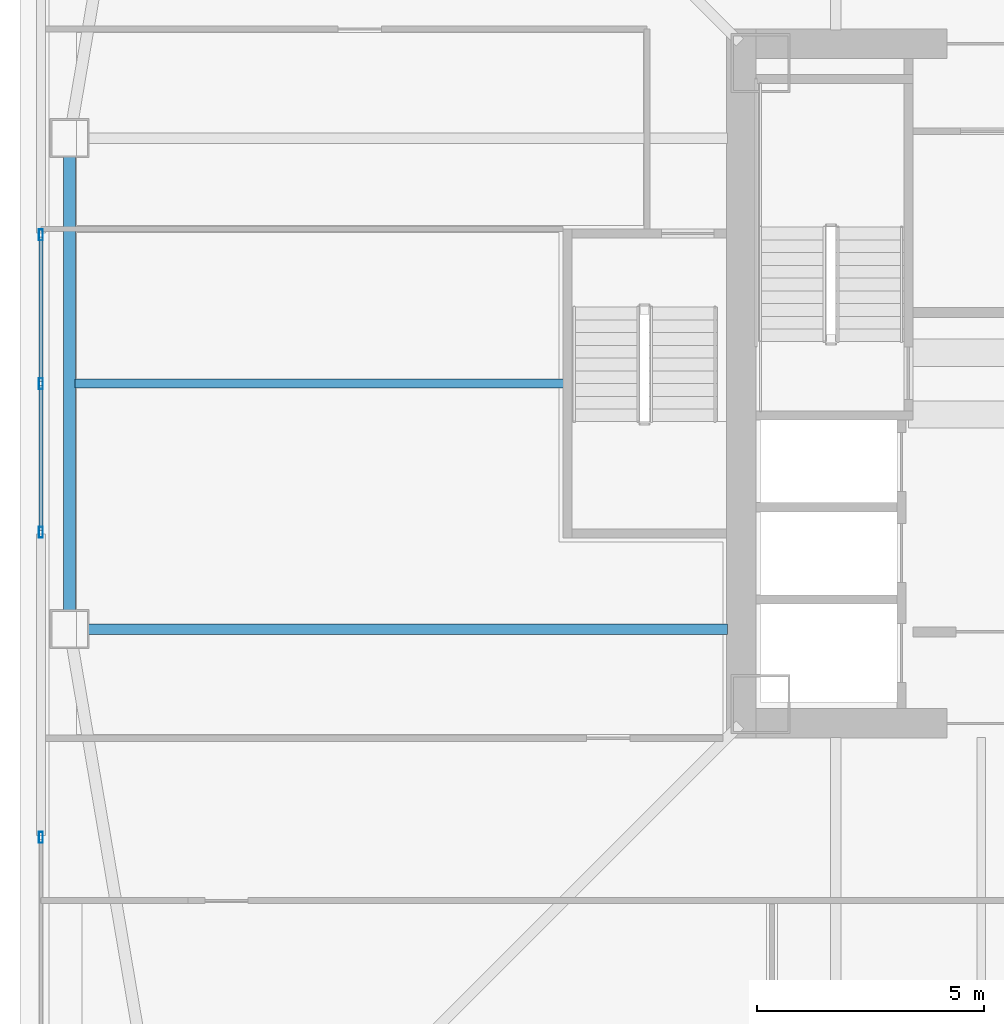
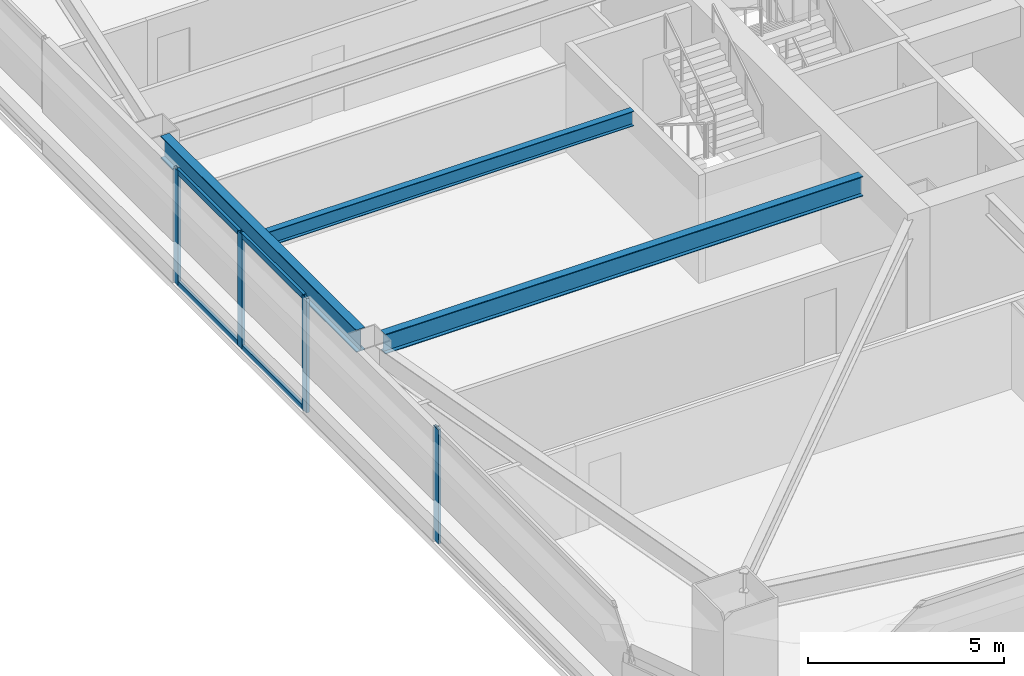
# One storey, part 5 of 45: 8 members, 3 beams, 2 elements without a shape of their own.
"""IFC4 building model written with IfcOpenShell, lengths in metres."""

from ifc_helpers import new_model, si_unit, direction, frame, origin, origin_2d, place, context, subcontext, project, spatial, hollow_rectangle, i_section, extrude, material, material_profile, profile_set, type_object, element, aggregate, save


model = new_model("IFC4")

# Units and contexts
model_context = context("Model", 3, precision=1e-05, world=origin(), true_north=direction((0.0, 1.0)))
body_context = subcontext(model_context, "Body", "Model", "MODEL_VIEW")
ifc_project = project(units=[si_unit("LENGTHUNIT", "METRE"), si_unit("AREAUNIT", "SQUARE_METRE"), si_unit("VOLUMEUNIT", "CUBIC_METRE"), si_unit("PLANEANGLEUNIT", "RADIAN"), si_unit("MASSUNIT", "GRAM", prefix="KILO")], contexts=[model_context])

# Site, building, storey
site_placement = place(None, origin())
site = spatial("IfcSite", under=ifc_project, at=site_placement, CompositionType="ELEMENT")
building_placement = place(site_placement, origin())
building = spatial("IfcBuilding", under=site, at=building_placement, Name="Tashvorn Skyway Center", CompositionType="ELEMENT")
storey_placement = place(building_placement, frame((0.0, 0.0, 35.25)))
storey = spatial("IfcBuildingStorey", under=building, at=storey_placement, Name="L08", CompositionType="ELEMENT", Elevation=35.25)

# Beams
ifc_material_1 = material(Name="Steel ASTM A992 Grade 50", Category="steel")
ifc_material_profile_1 = material_profile(ifc_material_1, i_section(OverallWidth=0.22998046875, OverallDepth=0.616943359375, WebThickness=0.01318359375, FlangeThickness=0.022216796875, at=origin_2d()), Name="W24X94")
ifc_profile_set_1 = profile_set([ifc_material_profile_1], Name="Steel ASTM A992 Grade 50")
beam_type_1 = type_object("IfcBeamType", Name="BM-BEAM-W24X94", PredefinedType="BEAM", material=ifc_profile_set_1)
beam_1_placement = place(storey_placement, frame((20.169921875, 26.60009765625, 3.04150390625), z_axis=(1.0, 0.0, 0.0), x_axis=(0.0, 1.0, 0.0)))
element("IfcBeam", 1, at=beam_1_placement, inside=storey, type_object=beam_type_1, Name="Tower 1 L08 Primary Floor Girder FC-W2", PredefinedType="BEAM", context=body_context, shape_type="SweptSolid", body=[
    extrude(i_section(OverallWidth=0.22998046875, OverallDepth=0.616943359375, WebThickness=0.01318359375, FlangeThickness=0.022216796875, at=origin_2d()), origin(), (0.0, 0.0, 1.0), 14.050048828125),
])
ifc_material_profile_2 = material_profile(ifc_material_1, i_section(OverallWidth=0.19091796875, OverallDepth=0.4599609375, WebThickness=0.010009765625, FlangeThickness=0.01611328125, at=origin_2d()), Name="W18X55")
ifc_profile_set_2 = profile_set([ifc_material_profile_2], Name="Steel ASTM A992 Grade 50")
beam_type_2 = type_object("IfcBeamType", Name="BM-JOIST-W18X55", PredefinedType="JOIST", material=ifc_profile_set_2)
beam_2_placement = place(storey_placement, frame((30.610107421875, 32.0, 3.1201171875), z_axis=(-1.0, 0.0, 0.0), x_axis=(0.0, -1.0, 0.0)))
element("IfcBeam", 2, at=beam_2_placement, inside=storey, type_object=beam_type_2, Name="Tower 1 L08 Secondary Composite Joist JW", PredefinedType="JOIST", context=body_context, shape_type="SweptSolid", body=[
    extrude(i_section(OverallWidth=0.19091796875, OverallDepth=0.4599609375, WebThickness=0.010009765625, FlangeThickness=0.01611328125, at=origin_2d()), origin(), (0.0, 0.0, 1.0), 10.739990234375),
])
ifc_material_profile_3 = material_profile(ifc_material_1, i_section(OverallWidth=0.256103515625, OverallDepth=0.693115234375, WebThickness=0.014404296875, FlangeThickness=0.023681640625, at=origin_2d()), Name="W27X114")
ifc_profile_set_3 = profile_set([ifc_material_profile_3], Name="Steel ASTM A992 Grade 50")
beam_type_3 = type_object("IfcBeamType", Name="BM-SPANDREL-W27X114", PredefinedType="SPANDREL", material=ifc_profile_set_3)
beam_3_placement = place(storey_placement, frame((19.75, 36.97998046875, 3.00341796875), z_axis=(0.0, -1.0, 0.0), x_axis=(1.0, 0.0, 0.0)))
element("IfcBeam", 3, at=beam_3_placement, inside=storey, type_object=beam_type_3, Name="Tower 1 L08 Spandrel Beam 11", PredefinedType="SPANDREL", context=body_context, shape_type="SweptSolid", body=[
    extrude(i_section(OverallWidth=0.256103515625, OverallDepth=0.693115234375, WebThickness=0.014404296875, FlangeThickness=0.023681640625, at=origin_2d()), origin(), (0.0, 0.0, 1.0), 9.9599609375),
])

# Curtain wall, member
ifc_material_2 = material(Name="Thermally broken bronze-anodized aluminium 6063-T6", Category="aluminium")
curtain_wall_type = type_object("IfcCurtainWallType", Name="CW-CW-Z1", PredefinedType="NOTDEFINED", material=ifc_material_2)
curtain_wall_1_placement = place(storey_placement, origin())
curtain_wall_1 = element("IfcCurtainWall", 4, at=curtain_wall_1_placement, inside=storey, type_object=curtain_wall_type, Name="Tower 1 L08 West Unitised Curtain Wall Glazing Group 1", PredefinedType="NOTDEFINED")
ifc_material_profile_4 = material_profile(ifc_material_2, hollow_rectangle(XDim=0.0849609375, YDim=0.239990234375, WallThickness=0.0048828125, at=origin_2d()), Name="ALU-MULL-85x240")
ifc_profile_set_4 = profile_set([ifc_material_profile_4], Name="Thermally broken bronze-anodized aluminium 6063-T6")
member_type_1 = type_object("IfcMemberType", Name="CWM-CW-Z1", PredefinedType="MULLION", material=ifc_profile_set_4)
member_1_placement = place(storey_placement, frame((19.1201171875, 22.017578125, 0.0), z_axis=(0.0, 0.0, 1.0), x_axis=(-1.0, 0.0, 0.0)))
member_1 = element("IfcMember", 5, at=member_1_placement, type_object=member_type_1, Name="CW-Z1 mullion 2", PredefinedType="MULLION", context=body_context, shape_type="SweptSolid", body=[
    extrude(hollow_rectangle(XDim=0.0849609375, YDim=0.239990234375, WallThickness=0.0048828125, at=origin_2d()), origin(), (0.0, 0.0, 1.0), 3.550048828125),
])
aggregate(curtain_wall_1, [member_1])

# Curtain wall, members
curtain_wall_2_placement = place(storey_placement, origin())
curtain_wall_2 = element("IfcCurtainWall", 6, at=curtain_wall_2_placement, inside=storey, type_object=curtain_wall_type, Name="Tower 1 L08 West Unitised Curtain Wall Glazing Group 2", PredefinedType="NOTDEFINED")
member_2_placement = place(storey_placement, frame((19.1201171875, 28.729248046875, 0.0), z_axis=(0.0, 0.0, 1.0), x_axis=(-1.0, 0.0, 0.0)))
member_2 = element("IfcMember", 7, at=member_2_placement, type_object=member_type_1, Name="CW-Z1 mullion 1", PredefinedType="MULLION", context=body_context, shape_type="SweptSolid", body=[
    extrude(hollow_rectangle(XDim=0.0849609375, YDim=0.239990234375, WallThickness=0.0048828125, at=origin_2d()), origin(), (0.0, 0.0, 1.0), 3.550048828125),
])
member_3_placement = place(storey_placement, frame((19.1201171875, 32.0, 0.0), z_axis=(0.0, 0.0, 1.0), x_axis=(-1.0, 0.0, 0.0)))
member_3 = element("IfcMember", 8, at=member_3_placement, type_object=member_type_1, Name="CW-Z1 mullion 2", PredefinedType="MULLION", context=body_context, shape_type="SweptSolid", body=[
    extrude(hollow_rectangle(XDim=0.0849609375, YDim=0.239990234375, WallThickness=0.0048828125, at=origin_2d()), origin(), (0.0, 0.0, 1.0), 3.550048828125),
])
member_4_placement = place(storey_placement, frame((19.1201171875, 35.270751953125, 0.0), z_axis=(0.0, 0.0, 1.0), x_axis=(-1.0, 0.0, 0.0)))
member_4 = element("IfcMember", 9, at=member_4_placement, type_object=member_type_1, Name="CW-Z1 mullion 3", PredefinedType="MULLION", context=body_context, shape_type="SweptSolid", body=[
    extrude(hollow_rectangle(XDim=0.0849609375, YDim=0.239990234375, WallThickness=0.0048828125, at=origin_2d()), origin(), (0.0, 0.0, 1.0), 3.550048828125),
])
ifc_material_profile_5 = material_profile(ifc_material_2, hollow_rectangle(XDim=0.0849609375, YDim=0.1650390625, WallThickness=0.0048828125, at=origin_2d()), Name="ALU-TRAN-85x165")
ifc_profile_set_5 = profile_set([ifc_material_profile_5], Name="Thermally broken bronze-anodized aluminium 6063-T6")
member_type_2 = type_object("IfcMemberType", Name="CWT-CW-Z1", PredefinedType="USERDEFINED", material=ifc_profile_set_5)
member_5_placement = place(storey_placement, frame((19.1201171875, 28.771728515625, 0.04248046875), z_axis=(0.0, 1.0, 0.0), x_axis=(-1.0, 0.0, 0.0)))
member_5 = element("IfcMember", 10, at=member_5_placement, type_object=member_type_2, Name="CW-Z1 transom 1.1", ObjectType="TRANSOM", PredefinedType="USERDEFINED", context=body_context, shape_type="SweptSolid", body=[
    extrude(hollow_rectangle(XDim=0.0849609375, YDim=0.1650390625, WallThickness=0.0048828125, at=origin_2d()), origin(), (0.0, 0.0, 1.0), 3.185791015625),
])
member_6_placement = place(storey_placement, frame((19.1201171875, 28.771728515625, 3.507568359375), z_axis=(0.0, 1.0, 0.0), x_axis=(-1.0, 0.0, 0.0)))
member_6 = element("IfcMember", 11, at=member_6_placement, type_object=member_type_2, Name="CW-Z1 transom 1.2", ObjectType="TRANSOM", PredefinedType="USERDEFINED", context=body_context, shape_type="SweptSolid", body=[
    extrude(hollow_rectangle(XDim=0.0849609375, YDim=0.1650390625, WallThickness=0.0048828125, at=origin_2d()), origin(), (0.0, 0.0, 1.0), 3.185791015625),
])
member_7_placement = place(storey_placement, frame((19.1201171875, 32.04248046875, 0.04248046875), z_axis=(0.0, 1.0, 0.0), x_axis=(-1.0, 0.0, 0.0)))
member_7 = element("IfcMember", 12, at=member_7_placement, type_object=member_type_2, Name="CW-Z1 transom 2.1", ObjectType="TRANSOM", PredefinedType="USERDEFINED", context=body_context, shape_type="SweptSolid", body=[
    extrude(hollow_rectangle(XDim=0.0849609375, YDim=0.1650390625, WallThickness=0.0048828125, at=origin_2d()), origin(), (0.0, 0.0, 1.0), 3.185791015625),
])
member_8_placement = place(storey_placement, frame((19.1201171875, 32.04248046875, 3.507568359375), z_axis=(0.0, 1.0, 0.0), x_axis=(-1.0, 0.0, 0.0)))
member_8 = element("IfcMember", 13, at=member_8_placement, type_object=member_type_2, Name="CW-Z1 transom 2.2", ObjectType="TRANSOM", PredefinedType="USERDEFINED", context=body_context, shape_type="SweptSolid", body=[
    extrude(hollow_rectangle(XDim=0.0849609375, YDim=0.1650390625, WallThickness=0.0048828125, at=origin_2d()), origin(), (0.0, 0.0, 1.0), 3.185791015625),
])
aggregate(curtain_wall_2, [member_2, member_3, member_4, member_5, member_6, member_7, member_8])

save(model, "model.ifc")
